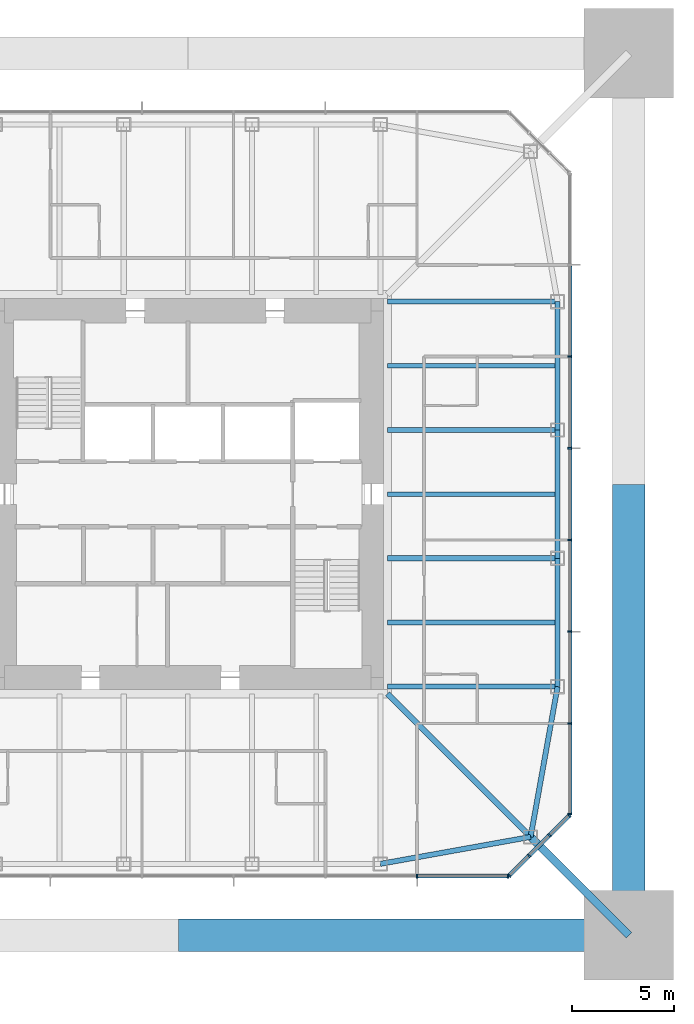
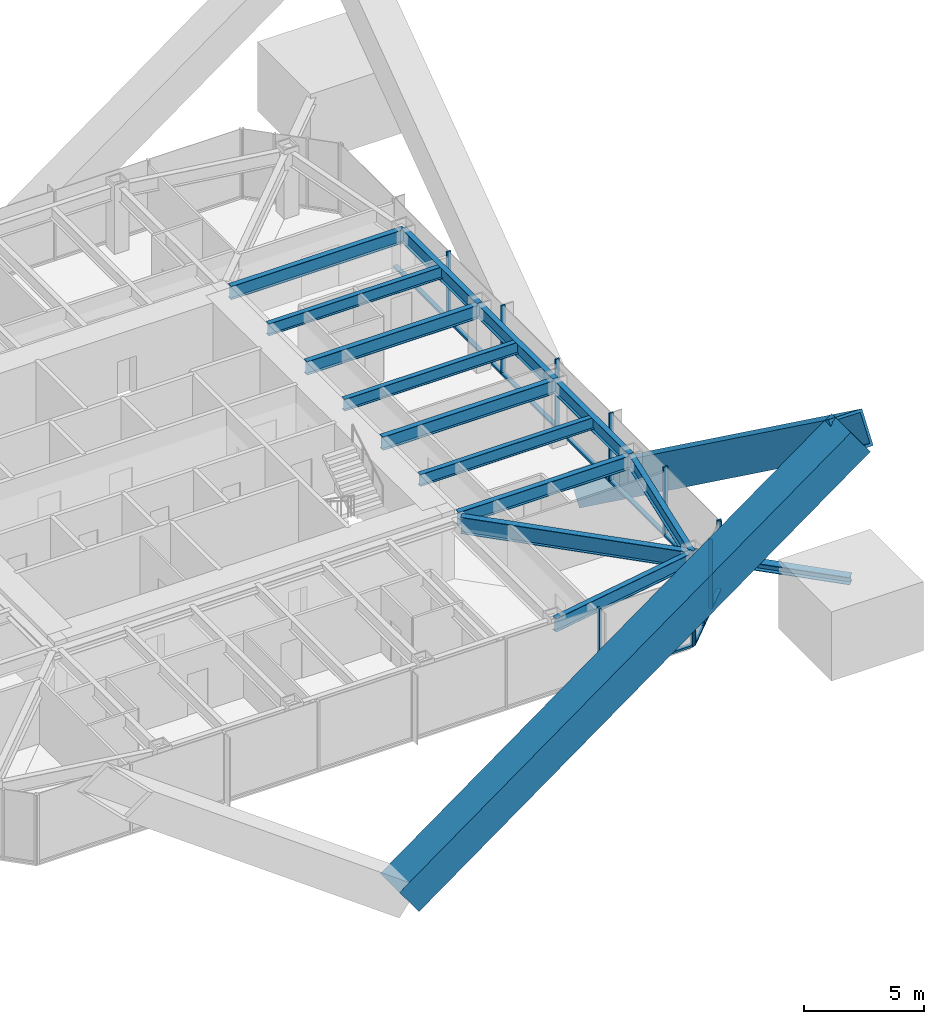
# One storey, part 4 of 13: 25 members, 13 beams, 3 elements without a shape of their own.
"""IFC4 building model written with IfcOpenShell, lengths in metres."""

from ifc_helpers import new_model, si_unit, direction, frame, origin, origin_2d, place, context, subcontext, project, spatial, rectangle, hollow_rectangle, i_section, extrude, material, material_profile, profile_set, type_object, element, aggregate, save


model = new_model("IFC4")

# Units and contexts
model_context = context("Model", 3, precision=1e-05, world=origin(), true_north=direction((0.0, 1.0)))
body_context = subcontext(model_context, "Body", "Model", "MODEL_VIEW")
ifc_project = project(units=[si_unit("LENGTHUNIT", "METRE"), si_unit("AREAUNIT", "SQUARE_METRE"), si_unit("VOLUMEUNIT", "CUBIC_METRE"), si_unit("PLANEANGLEUNIT", "RADIAN"), si_unit("MASSUNIT", "GRAM", prefix="KILO")], contexts=[model_context])

# Site, building, storey
site_placement = place(None, origin())
site = spatial("IfcSite", under=ifc_project, at=site_placement, CompositionType="ELEMENT")
building_placement = place(site_placement, origin())
building = spatial("IfcBuilding", under=site, at=building_placement, Name="Iwan Alto Co-Living Towers", CompositionType="ELEMENT")
storey_placement = place(building_placement, frame((0.0, 0.0, 198.5)))
storey = spatial("IfcBuildingStorey", under=building, at=storey_placement, Name="L54", CompositionType="ELEMENT", Elevation=198.5)

# Curtain wall, members
ifc_material_1 = material(Name="Bronze aluminium unitised frame", Category="aluminium")
curtain_wall_type_1 = type_object("IfcCurtainWallType", Name="CURTAIN WALL CW-A", PredefinedType="NOTDEFINED", material=ifc_material_1)
curtain_wall_1_placement = place(storey_placement, origin())
curtain_wall_1 = element("IfcCurtainWall", 1, at=curtain_wall_1_placement, inside=storey, type_object=curtain_wall_type_1, Name="T1 curtain wall S L54", PredefinedType="NOTDEFINED")
ifc_material_2 = material(Name="Aluminium 6063-T6 bronze anodised", Category="aluminium")
ifc_material_profile_1 = material_profile(ifc_material_2, rectangle(XDim=0.199951171875, YDim=0.080078125, at=origin_2d()), Name="AL 80X200")
ifc_profile_set_1 = profile_set([ifc_material_profile_1], Name="Aluminium 6063-T6 bronze anodised")
member_type_1 = type_object("IfcMemberType", Name="CW-A MULLION 80X200", PredefinedType="MULLION", material=ifc_profile_set_1)
member_1_placement = place(storey_placement, frame((11.25, -18.75, 0.0), z_axis=(0.0, 0.0, 1.0), x_axis=(0.0, 1.0, 0.0)))
member_1 = element("IfcMember", 2, at=member_1_placement, type_object=member_type_1, Name="CW-A mullion 7", PredefinedType="MULLION", context=body_context, shape_type="SweptSolid", body=[
    extrude(rectangle(XDim=0.199951171875, YDim=0.080078125, at=origin_2d()), origin(), (0.0, 0.0, 1.0), 3.5),
])
member_2_placement = place(storey_placement, frame((15.7099609375, -18.75, 0.0), z_axis=(0.0, 0.0, 1.0), x_axis=(0.0, 1.0, 0.0)))
member_2 = element("IfcMember", 3, at=member_2_placement, type_object=member_type_1, Name="CW-A mullion 8", PredefinedType="MULLION", context=body_context, shape_type="SweptSolid", body=[
    extrude(rectangle(XDim=0.199951171875, YDim=0.080078125, at=origin_2d()), origin(), (0.0, 0.0, 1.0), 3.5),
])

curtain_wall_2_placement = place(storey_placement, origin())
curtain_wall_2 = element("IfcCurtainWall", 4, at=curtain_wall_2_placement, inside=storey, type_object=curtain_wall_type_1, Name="T1 curtain wall E L54", PredefinedType="NOTDEFINED")
member_3_placement = place(storey_placement, frame((18.75, -15.7099609375, 0.0), z_axis=(0.0, 0.0, 1.0), x_axis=(-1.0, 0.0, 0.0)))
member_3 = element("IfcMember", 5, at=member_3_placement, type_object=member_type_1, Name="CW-A mullion 1", PredefinedType="MULLION", context=body_context, shape_type="SweptSolid", body=[
    extrude(rectangle(XDim=0.199951171875, YDim=0.080078125, at=origin_2d()), origin(), (0.0, 0.0, 1.0), 3.5),
])
member_4_placement = place(storey_placement, frame((18.75, -11.25, 0.0), z_axis=(0.0, 0.0, 1.0), x_axis=(-1.0, 0.0, 0.0)))
member_4 = element("IfcMember", 6, at=member_4_placement, type_object=member_type_1, Name="CW-A mullion 2", PredefinedType="MULLION", context=body_context, shape_type="SweptSolid", body=[
    extrude(rectangle(XDim=0.199951171875, YDim=0.080078125, at=origin_2d()), origin(), (0.0, 0.0, 1.0), 3.5),
])
member_5_placement = place(storey_placement, frame((18.75, -6.75, 0.0), z_axis=(0.0, 0.0, 1.0), x_axis=(-1.0, 0.0, 0.0)))
member_5 = element("IfcMember", 7, at=member_5_placement, type_object=member_type_1, Name="CW-A mullion 3", PredefinedType="MULLION", context=body_context, shape_type="SweptSolid", body=[
    extrude(rectangle(XDim=0.199951171875, YDim=0.080078125, at=origin_2d()), origin(), (0.0, 0.0, 1.0), 3.5),
])
member_6_placement = place(storey_placement, frame((18.75, -2.25, 0.0), z_axis=(0.0, 0.0, 1.0), x_axis=(-1.0, 0.0, 0.0)))
member_6 = element("IfcMember", 8, at=member_6_placement, type_object=member_type_1, Name="CW-A mullion 4", PredefinedType="MULLION", context=body_context, shape_type="SweptSolid", body=[
    extrude(rectangle(XDim=0.199951171875, YDim=0.080078125, at=origin_2d()), origin(), (0.0, 0.0, 1.0), 3.5),
])
member_7_placement = place(storey_placement, frame((18.75, 2.25, 0.0), z_axis=(0.0, 0.0, 1.0), x_axis=(-1.0, 0.0, 0.0)))
member_7 = element("IfcMember", 9, at=member_7_placement, type_object=member_type_1, Name="CW-A mullion 5", PredefinedType="MULLION", context=body_context, shape_type="SweptSolid", body=[
    extrude(rectangle(XDim=0.199951171875, YDim=0.080078125, at=origin_2d()), origin(), (0.0, 0.0, 1.0), 3.5),
])
member_8_placement = place(storey_placement, frame((18.75, 6.75, 0.0), z_axis=(0.0, 0.0, 1.0), x_axis=(-1.0, 0.0, 0.0)))
member_8 = element("IfcMember", 10, at=member_8_placement, type_object=member_type_1, Name="CW-A mullion 6", PredefinedType="MULLION", context=body_context, shape_type="SweptSolid", body=[
    extrude(rectangle(XDim=0.199951171875, YDim=0.080078125, at=origin_2d()), origin(), (0.0, 0.0, 1.0), 3.5),
])

# Member
ifc_material_3 = material(Name="Aluminium 6063-T6 bronze anodised", Category="aluminium")
ifc_material_profile_2 = material_profile(ifc_material_3, rectangle(XDim=0.199951171875, YDim=0.10009765625, at=origin_2d()), Name="AL 200X100")
ifc_profile_set_2 = profile_set([ifc_material_profile_2], Name="Aluminium 6063-T6 bronze anodised")
member_type_2 = type_object("IfcMemberType", Name="CW-A TRANSOM 200X100", PredefinedType="USERDEFINED", material=ifc_profile_set_2)
member_9_placement = place(storey_placement, frame((11.2900390625, -18.75, 0.050048828125), z_axis=(1.0, 0.0, 0.0), x_axis=(0.0, 1.0, 0.0)))
member_9 = element("IfcMember", 11, at=member_9_placement, type_object=member_type_2, Name="CW-A transom 7.1", ObjectType="TRANSOM", PredefinedType="USERDEFINED", context=body_context, shape_type="SweptSolid", body=[
    extrude(rectangle(XDim=0.199951171875, YDim=0.10009765625, at=origin_2d()), origin(), (0.0, 0.0, 1.0), 4.3798828125),
])

aggregate(curtain_wall_1, [member_1, member_2, member_9])

member_10_placement = place(storey_placement, frame((18.75, -15.669921875, 0.050048828125), z_axis=(0.0, 1.0, 0.0), x_axis=(-1.0, 0.0, 0.0)))
member_10 = element("IfcMember", 12, at=member_10_placement, type_object=member_type_2, Name="CW-A transom 1.1", ObjectType="TRANSOM", PredefinedType="USERDEFINED", context=body_context, shape_type="SweptSolid", body=[
    extrude(rectangle(XDim=0.199951171875, YDim=0.10009765625, at=origin_2d()), origin(), (0.0, 0.0, 1.0), 4.3798828125),
])

member_11_placement = place(storey_placement, frame((18.75, -11.2099609375, 0.050048828125), z_axis=(0.0, 1.0, 0.0), x_axis=(-1.0, 0.0, 0.0)))
member_11 = element("IfcMember", 13, at=member_11_placement, type_object=member_type_2, Name="CW-A transom 2.1", ObjectType="TRANSOM", PredefinedType="USERDEFINED", context=body_context, shape_type="SweptSolid", body=[
    extrude(rectangle(XDim=0.199951171875, YDim=0.10009765625, at=origin_2d()), origin(), (0.0, 0.0, 1.0), 4.419921875),
])

member_12_placement = place(storey_placement, frame((18.75, -6.7099609375, 0.050048828125), z_axis=(0.0, 1.0, 0.0), x_axis=(-1.0, 0.0, 0.0)))
member_12 = element("IfcMember", 14, at=member_12_placement, type_object=member_type_2, Name="CW-A transom 3.1", ObjectType="TRANSOM", PredefinedType="USERDEFINED", context=body_context, shape_type="SweptSolid", body=[
    extrude(rectangle(XDim=0.199951171875, YDim=0.10009765625, at=origin_2d()), origin(), (0.0, 0.0, 1.0), 4.419921875),
])

member_13_placement = place(storey_placement, frame((18.75, -2.2099609375, 0.050048828125), z_axis=(0.0, 1.0, 0.0), x_axis=(-1.0, 0.0, 0.0)))
member_13 = element("IfcMember", 15, at=member_13_placement, type_object=member_type_2, Name="CW-A transom 4.1", ObjectType="TRANSOM", PredefinedType="USERDEFINED", context=body_context, shape_type="SweptSolid", body=[
    extrude(rectangle(XDim=0.199951171875, YDim=0.10009765625, at=origin_2d()), origin(), (0.0, 0.0, 1.0), 4.419921875),
])

member_14_placement = place(storey_placement, frame((18.75, 2.2900390625, 0.050048828125), z_axis=(0.0, 1.0, 0.0), x_axis=(-1.0, 0.0, 0.0)))
member_14 = element("IfcMember", 16, at=member_14_placement, type_object=member_type_2, Name="CW-A transom 5.1", ObjectType="TRANSOM", PredefinedType="USERDEFINED", context=body_context, shape_type="SweptSolid", body=[
    extrude(rectangle(XDim=0.199951171875, YDim=0.10009765625, at=origin_2d()), origin(), (0.0, 0.0, 1.0), 4.419921875),
])

member_15_placement = place(storey_placement, frame((18.75, 6.7900390625, 0.050048828125), z_axis=(0.0, 1.0, 0.0), x_axis=(-1.0, 0.0, 0.0)))
member_15 = element("IfcMember", 17, at=member_15_placement, type_object=member_type_2, Name="CW-A transom 6.1", ObjectType="TRANSOM", PredefinedType="USERDEFINED", context=body_context, shape_type="SweptSolid", body=[
    extrude(rectangle(XDim=0.199951171875, YDim=0.10009765625, at=origin_2d()), origin(), (0.0, 0.0, 1.0), 4.419921875),
])

aggregate(curtain_wall_2, [member_3, member_4, member_5, member_6, member_7, member_8, member_10, member_11, member_12, member_13, member_14, member_15])

# Curtain wall, members
ifc_material_4 = material(Name="Bronze aluminium unitised frame", Category="aluminium")
curtain_wall_type_2 = type_object("IfcCurtainWallType", Name="CURTAIN WALL CW-B", PredefinedType="NOTDEFINED", material=ifc_material_4)
curtain_wall_3_placement = place(storey_placement, origin())
curtain_wall_3 = element("IfcCurtainWall", 18, at=curtain_wall_3_placement, inside=storey, type_object=curtain_wall_type_2, Name="T1 chamfer curtain wall SE L54", PredefinedType="NOTDEFINED")
ifc_material_5 = material(Name="Aluminium 6063-T6 bronze anodised", Category="aluminium")
ifc_material_profile_3 = material_profile(ifc_material_5, rectangle(XDim=0.199951171875, YDim=0.080078125, at=origin_2d()), Name="AL 80X200")
ifc_profile_set_3 = profile_set([ifc_material_profile_3], Name="Aluminium 6063-T6 bronze anodised")
member_type_3 = type_object("IfcMemberType", Name="CW-B MULLION 80X200", PredefinedType="MULLION", material=ifc_profile_set_3)
member_16_placement = place(storey_placement, frame((15.7783203125, -18.7216796875, 0.0), z_axis=(0.0, 0.0, 1.0), x_axis=(-0.707106781187, 0.707106781187, 0.0)))
member_16 = element("IfcMember", 19, at=member_16_placement, type_object=member_type_3, Name="CW-B mullion 1", PredefinedType="MULLION", context=body_context, shape_type="SweptSolid", body=[
    extrude(rectangle(XDim=0.199951171875, YDim=0.080078125, at=origin_2d()), origin(), (0.0, 0.0, 1.0), 3.5),
])
member_17_placement = place(storey_placement, frame((16.75, -17.75, 0.0), z_axis=(0.0, 0.0, 1.0), x_axis=(-0.707106781187, 0.707106781187, 0.0)))
member_17 = element("IfcMember", 20, at=member_17_placement, type_object=member_type_3, Name="CW-B mullion 2", PredefinedType="MULLION", context=body_context, shape_type="SweptSolid", body=[
    extrude(rectangle(XDim=0.199951171875, YDim=0.080078125, at=origin_2d()), origin(), (0.0, 0.0, 1.0), 3.5),
])
member_18_placement = place(storey_placement, frame((17.75, -16.75, 0.0), z_axis=(0.0, 0.0, 1.0), x_axis=(-0.707106781187, 0.707106781187, 0.0)))
member_18 = element("IfcMember", 21, at=member_18_placement, type_object=member_type_3, Name="CW-B mullion 3", PredefinedType="MULLION", context=body_context, shape_type="SweptSolid", body=[
    extrude(rectangle(XDim=0.199951171875, YDim=0.080078125, at=origin_2d()), origin(), (0.0, 0.0, 1.0), 3.5),
])
member_19_placement = place(storey_placement, frame((18.7216796875, -15.7783203125, 0.0), z_axis=(0.0, 0.0, 1.0), x_axis=(-0.707106781187, 0.707106781187, 0.0)))
member_19 = element("IfcMember", 22, at=member_19_placement, type_object=member_type_3, Name="CW-B mullion 4", PredefinedType="MULLION", context=body_context, shape_type="SweptSolid", body=[
    extrude(rectangle(XDim=0.199951171875, YDim=0.080078125, at=origin_2d()), origin(), (0.0, 0.0, 1.0), 3.5),
])
ifc_material_6 = material(Name="Aluminium 6063-T6 bronze anodised", Category="aluminium")
ifc_material_profile_4 = material_profile(ifc_material_6, rectangle(XDim=0.199951171875, YDim=0.10009765625, at=origin_2d()), Name="AL 200X100")
ifc_profile_set_4 = profile_set([ifc_material_profile_4], Name="Aluminium 6063-T6 bronze anodised")
member_type_4 = type_object("IfcMemberType", Name="CW-B TRANSOM 200X100", PredefinedType="USERDEFINED", material=ifc_profile_set_4)
member_20_placement = place(storey_placement, frame((15.806640625, -18.693359375, 0.050048828125), z_axis=(0.707106781187, 0.707106781187, 0.0), x_axis=(-0.707106781187, 0.707106781187, 0.0)))
member_20 = element("IfcMember", 23, at=member_20_placement, type_object=member_type_4, Name="CW-B transom 1.1", ObjectType="TRANSOM", PredefinedType="USERDEFINED", context=body_context, shape_type="SweptSolid", body=[
    extrude(rectangle(XDim=0.199951171875, YDim=0.10009765625, at=origin_2d()), origin(), (0.0, 0.0, 1.0), 1.2939453125),
])
member_21_placement = place(storey_placement, frame((16.7783203125, -17.7216796875, 0.050048828125), z_axis=(0.707106781187, 0.707106781187, 0.0), x_axis=(-0.707106781187, 0.707106781187, 0.0)))
member_21 = element("IfcMember", 24, at=member_21_placement, type_object=member_type_4, Name="CW-B transom 2.1", ObjectType="TRANSOM", PredefinedType="USERDEFINED", context=body_context, shape_type="SweptSolid", body=[
    extrude(rectangle(XDim=0.199951171875, YDim=0.10009765625, at=origin_2d()), origin(), (0.0, 0.0, 1.0), 1.334228515625),
])
member_22_placement = place(storey_placement, frame((17.7783203125, -16.7216796875, 0.050048828125), z_axis=(0.707106781187, 0.707106781187, 0.0), x_axis=(-0.707106781187, 0.707106781187, 0.0)))
member_22 = element("IfcMember", 25, at=member_22_placement, type_object=member_type_4, Name="CW-B transom 3.1", ObjectType="TRANSOM", PredefinedType="USERDEFINED", context=body_context, shape_type="SweptSolid", body=[
    extrude(rectangle(XDim=0.199951171875, YDim=0.10009765625, at=origin_2d()), origin(), (0.0, 0.0, 1.0), 1.2939453125),
])
aggregate(curtain_wall_3, [member_16, member_17, member_18, member_19, member_20, member_21, member_22])

# Beams
ifc_material_7 = material(Name="Steel ASTM A992 Gr 50", Category="steel")
ifc_material_profile_5 = material_profile(ifc_material_7, i_section(OverallWidth=0.2919921875, OverallDepth=0.8408203125, WebThickness=0.0146484375, FlangeThickness=0.021728515625, at=origin_2d()), Name="W33X130")
ifc_profile_set_5 = profile_set([ifc_material_profile_5], Name="Steel ASTM A992 Gr 50")
beam_type_1 = type_object("IfcBeamType", Name="T1 CORNER GIRDER W33X130", PredefinedType="BEAM", material=ifc_profile_set_5)
beam_1_placement = place(storey_placement, frame((16.82568359375, -16.82568359375, 2.849609375), z_axis=(-0.707106781187, 0.707106781187, 0.0), x_axis=(-0.707106781187, -0.707106781187, 0.0)))
element("IfcBeam", 26, at=beam_1_placement, inside=storey, type_object=beam_type_1, Name="T1 corner girder CSE L55", PredefinedType="BEAM", context=body_context, shape_type="SweptSolid", body=[
    extrude(i_section(OverallWidth=0.2919921875, OverallDepth=0.8408203125, WebThickness=0.0146484375, FlangeThickness=0.021728515625, at=origin_2d()), origin(), (0.0, 0.0, 1.0), 9.936767578125),
])
ifc_material_8 = material(Name="Steel ASTM A992 Gr 50", Category="steel")
ifc_material_profile_6 = material_profile(ifc_material_8, i_section(OverallWidth=0.25390625, OverallDepth=0.683349609375, WebThickness=0.012451171875, FlangeThickness=0.018798828125, at=origin_2d()), Name="W27X94")
ifc_profile_set_6 = profile_set([ifc_material_profile_6], Name="Steel ASTM A992 Gr 50")
beam_type_2 = type_object("IfcBeamType", Name="T1 EDGE BEAM W27X94", PredefinedType="BEAM", material=ifc_profile_set_6)
for number, where, z_axis, x_axis, name in (
    (27, (9.449951171875, -18.14990234375, 2.928466796875), (0.98426263553, 0.17671181143, 0.0), (-0.17671181143, 0.98426263553, 0.0), "T1 edge beam S4 L55"),
    (28, (16.82568359375, -16.82568359375, 2.928466796875), (0.17671181143, 0.98426263553, 0.0), (-0.98426263553, 0.17671181143, 0.0), "T1 edge beam CSE L55"),
):
    element("IfcBeam", number, at=place(storey_placement, frame(where, z_axis=z_axis, x_axis=x_axis)), inside=storey, type_object=beam_type_2, Name=name, PredefinedType="BEAM", context=body_context, shape_type="SweptSolid", body=[
        extrude(i_section(OverallWidth=0.25390625, OverallDepth=0.683349609375, WebThickness=0.012451171875, FlangeThickness=0.018798828125, at=origin_2d()), origin(), (0.0, 0.0, 1.0), 7.49365234375),
    ])
beam_2_placement = place(storey_placement, frame((18.14990234375, -9.449951171875, 2.928466796875), z_axis=(0.0, 1.0, 0.0), x_axis=(-1.0, 0.0, 0.0)))
element("IfcBeam", 29, at=beam_2_placement, inside=storey, type_object=beam_type_2, Name="T1 edge beam E1 L55", PredefinedType="BEAM", context=body_context, shape_type="SweptSolid", body=[
    extrude(i_section(OverallWidth=0.25390625, OverallDepth=0.683349609375, WebThickness=0.012451171875, FlangeThickness=0.018798828125, at=origin_2d()), origin(), (0.0, 0.0, 1.0), 6.300048828125),
])
beam_3_placement = place(storey_placement, frame((18.14990234375, -3.14990234375, 2.928466796875), z_axis=(0.0, 1.0, 0.0), x_axis=(-1.0, 0.0, 0.0)))
element("IfcBeam", 30, at=beam_3_placement, inside=storey, type_object=beam_type_2, Name="T1 edge beam E2 L55", PredefinedType="BEAM", context=body_context, shape_type="SweptSolid", body=[
    extrude(i_section(OverallWidth=0.25390625, OverallDepth=0.683349609375, WebThickness=0.012451171875, FlangeThickness=0.018798828125, at=origin_2d()), origin(), (0.0, 0.0, 1.0), 6.2998046875),
])
beam_4_placement = place(storey_placement, frame((18.14990234375, 3.14990234375, 2.928466796875), z_axis=(0.0, 1.0, 0.0), x_axis=(-1.0, 0.0, 0.0)))
element("IfcBeam", 31, at=beam_4_placement, inside=storey, type_object=beam_type_2, Name="T1 edge beam E3 L55", PredefinedType="BEAM", context=body_context, shape_type="SweptSolid", body=[
    extrude(i_section(OverallWidth=0.25390625, OverallDepth=0.683349609375, WebThickness=0.012451171875, FlangeThickness=0.018798828125, at=origin_2d()), origin(), (0.0, 0.0, 1.0), 6.300048828125),
])

# Members
ifc_material_9 = material(Name="Steel ASTM A572 Gr 42", Category="steel")
ifc_material_profile_7 = material_profile(ifc_material_9, hollow_rectangle(XDim=1.60009765625, YDim=1.60009765625, WallThickness=0.1201171875, at=origin_2d()), Name="BOX 1600X1600X120")
ifc_profile_set_7 = profile_set([ifc_material_profile_7], Name="Steel ASTM A572 Gr 42")
member_type_5 = type_object("IfcMemberType", Name="T1 MEGA BRACE BOX 1600X1600X120", PredefinedType="BRACE", material=ifc_profile_set_7)
for number, where, z_axis, x_axis, name in (
    (32, (0.0, -21.64990234375, -5.25), (0.808654054795, 0.0, 0.588284471717), (0.0, 1.0, 0.0), "T1 mega brace Z3B S 1 upper"),
    (33, (21.64990234375, 0.0, -5.25), (0.0, -0.808654054795, 0.588284471717), (1.0, 0.0, 0.0), "T1 mega brace Z3B E 2 upper"),
):
    element("IfcMember", number, at=place(storey_placement, frame(where, z_axis=z_axis, x_axis=x_axis)), inside=storey, type_object=member_type_5, Name=name, PredefinedType="BRACE", context=body_context, shape_type="SweptSolid", body=[
        extrude(hollow_rectangle(XDim=1.60009765625, YDim=1.60009765625, WallThickness=0.1201171875, at=origin_2d()), origin(), (0.0, 0.0, 1.0), 26.772705078125),
    ])
ifc_material_10 = material(Name="Steel ASTM A992 Gr 50", Category="steel")
ifc_material_profile_8 = material_profile(ifc_material_10, i_section(OverallWidth=0.393798828125, OverallDepth=0.3759765625, WebThickness=0.017333984375, FlangeThickness=0.027587890625, at=origin_2d()), Name="W14X145")
ifc_profile_set_8 = profile_set([ifc_material_profile_8], Name="Steel ASTM A992 Gr 50")
member_type_6 = type_object("IfcMemberType", Name="T1 MEGA COLUMN FLOOR TIE W14X145", PredefinedType="STRUT", material=ifc_profile_set_8)
member_23_placement = place(storey_placement, frame((21.64990234375, -21.64990234375, 3.08203125), z_axis=(-0.707106781187, 0.707106781187, 0.0), x_axis=(-0.707106781187, -0.707106781187, 0.0)))
element("IfcMember", 34, at=member_23_placement, inside=storey, type_object=member_type_6, Name="T1 mega column floor tie SE L55", PredefinedType="STRUT", context=body_context, shape_type="SweptSolid", body=[
    extrude(i_section(OverallWidth=0.393798828125, OverallDepth=0.3759765625, WebThickness=0.017333984375, FlangeThickness=0.027587890625, at=origin_2d()), origin(), (0.0, 0.0, 1.0), 6.822509765625),
])

# Beams
ifc_material_11 = material(Name="Steel ASTM A992 Gr 50", Category="steel")
ifc_material_profile_9 = material_profile(ifc_material_11, i_section(OverallWidth=0.25390625, OverallDepth=0.683349609375, WebThickness=0.012451171875, FlangeThickness=0.018798828125, at=origin_2d()), Name="W27X94")
ifc_profile_set_9 = profile_set([ifc_material_profile_9], Name="Steel ASTM A992 Gr 50")
beam_type_3 = type_object("IfcBeamType", Name="T1 RADIAL BEAM W27X94", PredefinedType="BEAM", material=ifc_profile_set_9)
for number, where, z_axis, x_axis, name in (
    (35, (18.14990234375, -9.449951171875, 2.928466796875), (-1.0, 0.0, 0.0), (0.0, -1.0, 0.0), "T1 radial beam E1 L55"),
    (36, (18.14990234375, -3.14990234375, 2.928466796875), (-1.0, 0.0, 0.0), (0.0, -1.0, 0.0), "T1 radial beam E2 L55"),
    (37, (18.14990234375, 3.14990234375, 2.928466796875), (-1.0, 0.0, 0.0), (0.0, -1.0, 0.0), "T1 radial beam E3 L55"),
    (38, (18.14990234375, 9.449951171875, 2.928466796875), (-1.0, 0.0, 0.0), (0.0, -1.0, 0.0), "T1 radial beam E4 L55"),
):
    element("IfcBeam", number, at=place(storey_placement, frame(where, z_axis=z_axis, x_axis=x_axis)), inside=storey, type_object=beam_type_3, Name=name, PredefinedType="BEAM", context=body_context, shape_type="SweptSolid", body=[
        extrude(i_section(OverallWidth=0.25390625, OverallDepth=0.683349609375, WebThickness=0.012451171875, FlangeThickness=0.018798828125, at=origin_2d()), origin(), (0.0, 0.0, 1.0), 8.3505859375),
    ])
ifc_material_12 = material(Name="Steel ASTM A992 Gr 50", Category="steel")
ifc_material_profile_10 = material_profile(ifc_material_12, i_section(OverallWidth=0.228271484375, OverallDepth=0.607177734375, WebThickness=0.01123046875, FlangeThickness=0.017333984375, at=origin_2d()), Name="W24X76")
ifc_profile_set_10 = profile_set([ifc_material_profile_10], Name="Steel ASTM A992 Gr 50")
beam_type_4 = type_object("IfcBeamType", Name="T1 SECONDARY BEAM W24X76", PredefinedType="JOIST", material=ifc_profile_set_10)
for number, where, z_axis, x_axis, name in (
    (39, (18.14990234375, -6.300048828125, 2.966552734375), (-1.0, 0.0, 0.0), (0.0, -1.0, 0.0), "T1 secondary beam E1 L55"),
    (40, (18.14990234375, 0.0, 2.966552734375), (-1.0, 0.0, 0.0), (0.0, -1.0, 0.0), "T1 secondary beam E2 L55"),
    (41, (18.14990234375, 6.300048828125, 2.966552734375), (-1.0, 0.0, 0.0), (0.0, -1.0, 0.0), "T1 secondary beam E3 L55"),
):
    element("IfcBeam", number, at=place(storey_placement, frame(where, z_axis=z_axis, x_axis=x_axis)), inside=storey, type_object=beam_type_4, Name=name, PredefinedType="JOIST", context=body_context, shape_type="SweptSolid", body=[
        extrude(i_section(OverallWidth=0.228271484375, OverallDepth=0.607177734375, WebThickness=0.01123046875, FlangeThickness=0.017333984375, at=origin_2d()), origin(), (0.0, 0.0, 1.0), 8.3505859375),
    ])

save(model, "model.ifc")
